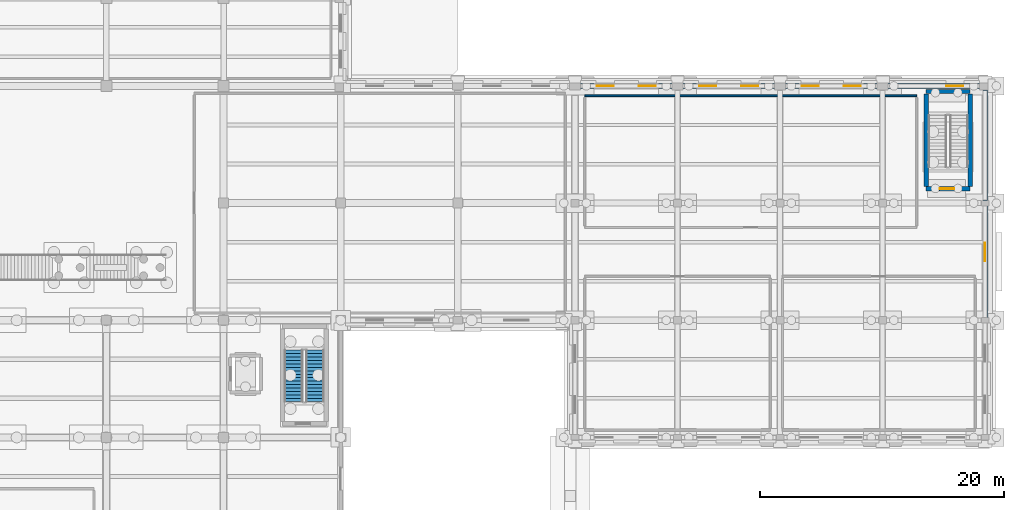
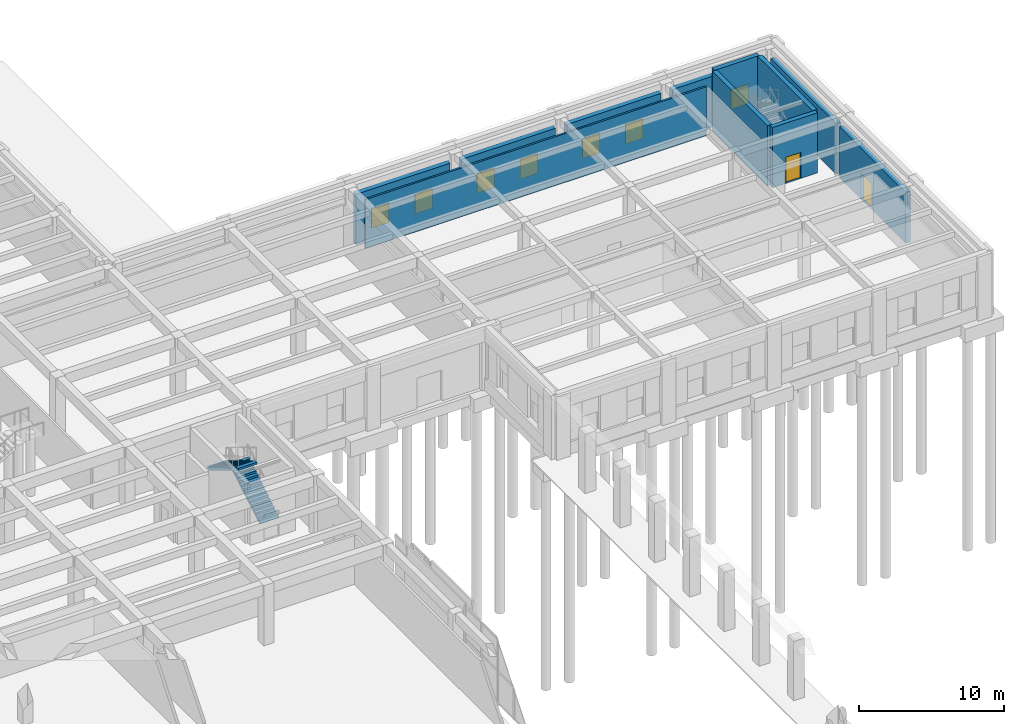
# One storey, part 37 of 51: 11 walls, 7 windows, 2 doors, 2 stair flights, 9 openings, 1 element without a shape of its own.
"""IFC4 building model written with IfcOpenShell, lengths in metres."""

from ifc_helpers import new_model, si_unit, direction, frame, frame_2d, origin, place, context, subcontext, project, spatial, polyline, rectangle, outline, extrude, material, layer, layer_set, type_object, element, fill, aggregate, save


model = new_model("IFC4")

# Units and contexts
model_context = context("Model", 3, precision=1e-05, world=origin(), true_north=direction((0.0, 1.0)))
body_context = subcontext(model_context, "Body", "Model", "MODEL_VIEW")
ifc_project = project(units=[si_unit("LENGTHUNIT", "METRE"), si_unit("AREAUNIT", "SQUARE_METRE"), si_unit("VOLUMEUNIT", "CUBIC_METRE"), si_unit("PLANEANGLEUNIT", "RADIAN"), si_unit("MASSUNIT", "GRAM", prefix="KILO")], contexts=[model_context])

# Site, building, storey
site_placement = place(None, origin())
site = spatial("IfcSite", under=ifc_project, at=site_placement, CompositionType="ELEMENT")
building_placement = place(site_placement, origin())
building = spatial("IfcBuilding", under=site, at=building_placement, Name="Bempovik Park Faculty of Sciences", CompositionType="ELEMENT")
storey_placement = place(building_placement, origin())
storey = spatial("IfcBuildingStorey", under=building, at=storey_placement, Name="L00", CompositionType="ELEMENT", Elevation=0.0)

# Wall, openings, windows
ifc_material_1 = material(Name="Precast concrete C40/50", Category="concrete")
ifc_layer_1 = layer(ifc_material_1, 0.3798828125)
ifc_layer_set_1 = layer_set([ifc_layer_1], Name="Precast concrete C40/50")
wall_type_1 = type_object("IfcWallType", Name="W-27 Wall 380mm", PredefinedType="SOLIDWALL", material=ifc_layer_set_1)
wall_1_placement = place(storey_placement, frame((137.251953125, 87.0, 0.0), z_axis=(0.0, 0.0, 1.0), x_axis=(1.0, 0.0, 0.0)))
wall_1 = element("IfcWall", 1, at=wall_1_placement, inside=storey, type_object=wall_type_1, Name="L00 Classical Precast Facade Wall EW-L00-5942", PredefinedType="SOLIDWALL", context=body_context, shape_type="SweptSolid", body=[
    extrude(rectangle(XDim=7.49609375, YDim=0.3798828125, at=frame_2d((3.748046875, 0.0))), origin(), (0.0, 0.0, 1.0), 4.280029296875),
])
opening_1_placement = place(wall_1_placement, frame((1.323974609375, 0.0, 0.85009765625)))
opening_1 = element("IfcOpeningElement", 2, at=opening_1_placement, cuts=wall_1, Name="Opening WN-84", PredefinedType="OPENING", context=body_context, shape_type="SweptSolid", body=[
    extrude(rectangle(XDim=1.39990234375, YDim=1.64990234375, at=frame_2d((0.699951171875, 0.824951171875))), frame((0.0, 0.199951171875, 0.0), z_axis=(0.0, -1.0, 0.0), x_axis=(1.0, 0.0, 0.0)), (0.0, 0.0, 1.0), 0.39990234375),
])
opening_2_placement = place(wall_1_placement, frame((4.772216796875, 0.0, 0.85009765625)))
opening_2 = element("IfcOpeningElement", 3, at=opening_2_placement, cuts=wall_1, Name="Opening WN-84", PredefinedType="OPENING", context=body_context, shape_type="SweptSolid", body=[
    extrude(rectangle(XDim=1.39990234375, YDim=1.64990234375, at=frame_2d((0.699951171875, 0.824951171875))), frame((0.0, 0.199951171875, 0.0), z_axis=(0.0, -1.0, 0.0), x_axis=(1.0, 0.0, 0.0)), (0.0, 0.0, 1.0), 0.39990234375),
])
ifc_material_2 = material(Name="Tempered laminated low-E glass", Category="glass")
window_type = type_object("IfcWindowType", Name="WN-84 Window 1400x1650", PartitioningType="SINGLE_PANEL", PredefinedType="WINDOW", material=ifc_material_2)
window_1_placement = place(opening_1_placement, origin())
window_1 = element("IfcWindow", 4, at=window_1_placement, inside=storey, type_object=window_type, Name="L00 Window EW-L00-5942-1", OverallHeight=1.64990234375, OverallWidth=1.39990234375, PartitioningType="SINGLE_PANEL", PredefinedType="WINDOW", context=body_context, shape_type="SweptSolid", body=[
    extrude(rectangle(XDim=1.39990234375, YDim=1.64990234375, at=frame_2d((0.699951171875, 0.824951171875))), frame((0.0, 0.030029296875, 0.0), z_axis=(0.0, -1.0, 0.0), x_axis=(1.0, 0.0, 0.0)), (0.0, 0.0, 1.0), 0.06005859375),
])
fill(opening_1, window_1)
window_2_placement = place(opening_2_placement, origin())
window_2 = element("IfcWindow", 5, at=window_2_placement, inside=storey, type_object=window_type, Name="L00 Window EW-L00-5942-2", OverallHeight=1.64990234375, OverallWidth=1.39990234375, PartitioningType="SINGLE_PANEL", PredefinedType="WINDOW", context=body_context, shape_type="SweptSolid", body=[
    extrude(rectangle(XDim=1.39990234375, YDim=1.64990234375, at=frame_2d((0.699951171875, 0.824951171875))), frame((0.0, 0.030029296875, 0.0), z_axis=(0.0, -1.0, 0.0), x_axis=(1.0, 0.0, 0.0)), (0.0, 0.0, 1.0), 0.06005859375),
])
fill(opening_2, window_2)

wall_2_placement = place(storey_placement, frame((145.652099609375, 87.0, 0.0), z_axis=(0.0, 0.0, 1.0), x_axis=(1.0, 0.0, 0.0)))
wall_2 = element("IfcWall", 6, at=wall_2_placement, inside=storey, type_object=wall_type_1, Name="L00 Classical Precast Facade Wall EW-L00-5952", PredefinedType="SOLIDWALL", context=body_context, shape_type="SweptSolid", body=[
    extrude(rectangle(XDim=7.495849609375, YDim=0.3798828125, at=frame_2d((3.748046875, 0.0))), origin(), (0.0, 0.0, 1.0), 4.280029296875),
])
opening_3_placement = place(wall_2_placement, frame((1.323974609375, 0.0, 0.85009765625)))
opening_3 = element("IfcOpeningElement", 7, at=opening_3_placement, cuts=wall_2, Name="Opening WN-84", PredefinedType="OPENING", context=body_context, shape_type="SweptSolid", body=[
    extrude(rectangle(XDim=1.39990234375, YDim=1.64990234375, at=frame_2d((0.699951171875, 0.824951171875))), frame((0.0, 0.199951171875, 0.0), z_axis=(0.0, -1.0, 0.0), x_axis=(1.0, 0.0, 0.0)), (0.0, 0.0, 1.0), 0.39990234375),
])
opening_4_placement = place(wall_2_placement, frame((4.772216796875, 0.0, 0.85009765625)))
opening_4 = element("IfcOpeningElement", 8, at=opening_4_placement, cuts=wall_2, Name="Opening WN-84", PredefinedType="OPENING", context=body_context, shape_type="SweptSolid", body=[
    extrude(rectangle(XDim=1.39990234375, YDim=1.64990234375, at=frame_2d((0.699951171875, 0.824951171875))), frame((0.0, 0.199951171875, 0.0), z_axis=(0.0, -1.0, 0.0), x_axis=(1.0, 0.0, 0.0)), (0.0, 0.0, 1.0), 0.39990234375),
])
window_3_placement = place(opening_3_placement, origin())
window_3 = element("IfcWindow", 9, at=window_3_placement, inside=storey, type_object=window_type, Name="L00 Window EW-L00-5952-1", OverallHeight=1.64990234375, OverallWidth=1.39990234375, PartitioningType="SINGLE_PANEL", PredefinedType="WINDOW", context=body_context, shape_type="SweptSolid", body=[
    extrude(rectangle(XDim=1.39990234375, YDim=1.64990234375, at=frame_2d((0.699951171875, 0.824951171875))), frame((0.0, 0.030029296875, 0.0), z_axis=(0.0, -1.0, 0.0), x_axis=(1.0, 0.0, 0.0)), (0.0, 0.0, 1.0), 0.06005859375),
])
fill(opening_3, window_3)
window_4_placement = place(opening_4_placement, origin())
window_4 = element("IfcWindow", 10, at=window_4_placement, inside=storey, type_object=window_type, Name="L00 Window EW-L00-5952-2", OverallHeight=1.64990234375, OverallWidth=1.39990234375, PartitioningType="SINGLE_PANEL", PredefinedType="WINDOW", context=body_context, shape_type="SweptSolid", body=[
    extrude(rectangle(XDim=1.39990234375, YDim=1.64990234375, at=frame_2d((0.699951171875, 0.824951171875))), frame((0.0, 0.030029296875, 0.0), z_axis=(0.0, -1.0, 0.0), x_axis=(1.0, 0.0, 0.0)), (0.0, 0.0, 1.0), 0.06005859375),
])
fill(opening_4, window_4)

wall_3_placement = place(storey_placement, frame((154.052001953125, 87.0, 0.0), z_axis=(0.0, 0.0, 1.0), x_axis=(1.0, 0.0, 0.0)))
wall_3 = element("IfcWall", 11, at=wall_3_placement, inside=storey, type_object=wall_type_1, Name="L00 Classical Precast Facade Wall EW-L00-5962", PredefinedType="SOLIDWALL", context=body_context, shape_type="SweptSolid", body=[
    extrude(rectangle(XDim=7.49609375, YDim=0.3798828125, at=frame_2d((3.748046875, 0.0))), origin(), (0.0, 0.0, 1.0), 4.280029296875),
])
opening_5_placement = place(wall_3_placement, frame((1.323974609375, 0.0, 0.85009765625)))
opening_5 = element("IfcOpeningElement", 12, at=opening_5_placement, cuts=wall_3, Name="Opening WN-84", PredefinedType="OPENING", context=body_context, shape_type="SweptSolid", body=[
    extrude(rectangle(XDim=1.39990234375, YDim=1.64990234375, at=frame_2d((0.699951171875, 0.824951171875))), frame((0.0, 0.199951171875, 0.0), z_axis=(0.0, -1.0, 0.0), x_axis=(1.0, 0.0, 0.0)), (0.0, 0.0, 1.0), 0.39990234375),
])
opening_6_placement = place(wall_3_placement, frame((4.772216796875, 0.0, 0.85009765625)))
opening_6 = element("IfcOpeningElement", 13, at=opening_6_placement, cuts=wall_3, Name="Opening WN-84", PredefinedType="OPENING", context=body_context, shape_type="SweptSolid", body=[
    extrude(rectangle(XDim=1.39990234375, YDim=1.64990234375, at=frame_2d((0.699951171875, 0.824951171875))), frame((0.0, 0.199951171875, 0.0), z_axis=(0.0, -1.0, 0.0), x_axis=(1.0, 0.0, 0.0)), (0.0, 0.0, 1.0), 0.39990234375),
])
window_5_placement = place(opening_5_placement, origin())
window_5 = element("IfcWindow", 14, at=window_5_placement, inside=storey, type_object=window_type, Name="L00 Window EW-L00-5962-1", OverallHeight=1.64990234375, OverallWidth=1.39990234375, PartitioningType="SINGLE_PANEL", PredefinedType="WINDOW", context=body_context, shape_type="SweptSolid", body=[
    extrude(rectangle(XDim=1.39990234375, YDim=1.64990234375, at=frame_2d((0.699951171875, 0.824951171875))), frame((0.0, 0.030029296875, 0.0), z_axis=(0.0, -1.0, 0.0), x_axis=(1.0, 0.0, 0.0)), (0.0, 0.0, 1.0), 0.06005859375),
])
fill(opening_5, window_5)
window_6_placement = place(opening_6_placement, origin())
window_6 = element("IfcWindow", 15, at=window_6_placement, inside=storey, type_object=window_type, Name="L00 Window EW-L00-5962-2", OverallHeight=1.64990234375, OverallWidth=1.39990234375, PartitioningType="SINGLE_PANEL", PredefinedType="WINDOW", context=body_context, shape_type="SweptSolid", body=[
    extrude(rectangle(XDim=1.39990234375, YDim=1.64990234375, at=frame_2d((0.699951171875, 0.824951171875))), frame((0.0, 0.030029296875, 0.0), z_axis=(0.0, -1.0, 0.0), x_axis=(1.0, 0.0, 0.0)), (0.0, 0.0, 1.0), 0.06005859375),
])
fill(opening_6, window_6)

# Wall, opening, window
wall_4_placement = place(storey_placement, frame((162.451904296875, 87.0, 0.0), z_axis=(0.0, 0.0, 1.0), x_axis=(1.0, 0.0, 0.0)))
wall_4 = element("IfcWall", 16, at=wall_4_placement, inside=storey, type_object=wall_type_1, Name="L00 Classical Precast Facade Wall EW-L00-5972", PredefinedType="SOLIDWALL", context=body_context, shape_type="SweptSolid", body=[
    extrude(rectangle(XDim=7.49609375, YDim=0.3798828125, at=frame_2d((3.748046875, 0.0))), origin(), (0.0, 0.0, 1.0), 4.280029296875),
])
opening_7_placement = place(wall_4_placement, frame((4.772216796875, 0.0, 0.85009765625)))
opening_7 = element("IfcOpeningElement", 17, at=opening_7_placement, cuts=wall_4, Name="Opening WN-84", PredefinedType="OPENING", context=body_context, shape_type="SweptSolid", body=[
    extrude(rectangle(XDim=1.39990234375, YDim=1.64990234375, at=frame_2d((0.699951171875, 0.824951171875))), frame((0.0, 0.199951171875, 0.0), z_axis=(0.0, -1.0, 0.0), x_axis=(1.0, 0.0, 0.0)), (0.0, 0.0, 1.0), 0.39990234375),
])
window_7_placement = place(opening_7_placement, origin())
window_7 = element("IfcWindow", 18, at=window_7_placement, inside=storey, type_object=window_type, Name="L00 Window EW-L00-5972-2", OverallHeight=1.64990234375, OverallWidth=1.39990234375, PartitioningType="SINGLE_PANEL", PredefinedType="WINDOW", context=body_context, shape_type="SweptSolid", body=[
    extrude(rectangle(XDim=1.39990234375, YDim=1.64990234375, at=frame_2d((0.699951171875, 0.824951171875))), frame((0.0, 0.030029296875, 0.0), z_axis=(0.0, -1.0, 0.0), x_axis=(1.0, 0.0, 0.0)), (0.0, 0.0, 1.0), 0.06005859375),
])
fill(opening_7, window_7)

# Wall, opening, door
wall_5_placement = place(storey_placement, frame((170.39990234375, 68.031982421875, 0.0), z_axis=(0.0, 0.0, 1.0), x_axis=(0.0, 1.0, 0.0)))
wall_5 = element("IfcWall", 19, at=wall_5_placement, inside=storey, type_object=wall_type_1, Name="L00 Classical Precast Facade Wall EW-L00-5991", PredefinedType="SOLIDWALL", context=body_context, shape_type="SweptSolid", body=[
    extrude(rectangle(XDim=9.135986328125, YDim=0.3798828125, at=frame_2d((4.56787109375, 0.0))), origin(), (0.0, 0.0, 1.0), 4.280029296875),
])
opening_8_placement = place(wall_5_placement, frame((4.617919921875, 0.0, 0.0)))
opening_8 = element("IfcOpeningElement", 20, at=opening_8_placement, cuts=wall_5, Name="Opening D-29", PredefinedType="OPENING", context=body_context, shape_type="SweptSolid", body=[
    extrude(rectangle(XDim=1.5, YDim=2.199951171875, at=frame_2d((0.75, 1.10009765625))), frame((0.0, 0.199951171875, 0.0), z_axis=(0.0, -1.0, 0.0), x_axis=(1.0, 0.0, 0.0)), (0.0, 0.0, 1.0), 0.39990234375),
])
ifc_material_3 = material(Name="Painted steel S355", Category="steel")
door_type_1 = type_object("IfcDoorType", Name="D-29 Door 1500x2200", OperationType="NOTDEFINED", PredefinedType="DOOR", material=ifc_material_3)
door_1_placement = place(opening_8_placement, frame((1.5, 0.0, 0.0), z_axis=(0.0, 0.0, 1.0), x_axis=(-1.0, 0.0, 0.0)))
door_1 = element("IfcDoor", 21, at=door_1_placement, inside=storey, type_object=door_type_1, Name="Stair ST-6 Final Avenue Discharge Door", OperationType="SINGLE_SWING_LEFT", OverallHeight=2.199951171875, OverallWidth=1.5, PredefinedType="DOOR", context=body_context, shape_type="SweptSolid", body=[
    extrude(rectangle(XDim=1.5, YDim=2.199951171875, at=frame_2d((0.75, 1.10009765625))), frame((0.0, 0.02490234375, 0.0), z_axis=(0.0, -1.0, 0.0), x_axis=(1.0, 0.0, 0.0)), (0.0, 0.0, 1.0), 0.050048828125),
])
fill(opening_8, door_1)

# Walls
wall_6_placement = place(storey_placement, frame((170.39990234375, 77.632080078125, 0.0), z_axis=(0.0, 0.0, 1.0), x_axis=(0.0, 1.0, 0.0)))
element("IfcWall", 22, at=wall_6_placement, inside=storey, type_object=wall_type_1, Name="L00 Classical Precast Facade Wall EW-L00-5995", PredefinedType="SOLIDWALL", context=body_context, shape_type="SweptSolid", body=[
    extrude(rectangle(XDim=9.015869140625, YDim=0.3798828125, at=frame_2d((4.5078125, 0.0))), origin(), (0.0, 0.0, 1.0), 4.280029296875),
])
ifc_material_4 = material(Name="Gypsum acoustic stud assembly")
ifc_layer_2 = layer(ifc_material_4, 0.14990234375)
ifc_layer_set_2 = layer_set([ifc_layer_2], Name="Gypsum acoustic stud assembly")
wall_type_2 = type_object("IfcWallType", Name="W-42 Wall 150mm", PredefinedType="PARTITIONING", material=ifc_layer_set_2)
wall_7_placement = place(storey_placement, frame((137.60009765625, 86.199951171875, 0.0), z_axis=(0.0, 0.0, 1.0), x_axis=(1.0, 0.0, 0.0)))
element("IfcWall", 23, at=wall_7_placement, inside=storey, type_object=wall_type_2, Name="L00 Earth Sciences Tutorial Room Partition North", PredefinedType="PARTITIONING", context=body_context, shape_type="SweptSolid", body=[
    extrude(rectangle(XDim=27.199951171875, YDim=0.14990234375, at=frame_2d((13.60009765625, 0.0))), origin(), (0.0, 0.0, 1.0), 4.1201171875),
])

# Wall, opening, door
ifc_material_5 = material(Name="Concrete C40/50", Category="concrete")
ifc_layer_3 = layer(ifc_material_5, 0.35009765625)
ifc_layer_set_3 = layer_set([ifc_layer_3], Name="Concrete C40/50")
wall_type_3 = type_object("IfcWallType", Name="W-46 Wall 350mm", PredefinedType="SHEAR", material=ifc_layer_set_3)
wall_8_placement = place(storey_placement, frame((165.574951171875, 78.574951171875, 0.0), z_axis=(0.0, 0.0, 1.0), x_axis=(1.0, 0.0, 0.0)))
wall_8 = element("IfcWall", 24, at=wall_8_placement, inside=storey, type_object=wall_type_3, Name="ST-6 L00 Core Shear Wall South", PredefinedType="SHEAR", context=body_context, shape_type="SweptSolid", body=[
    extrude(rectangle(XDim=3.60009765625, YDim=0.35009765625, at=frame_2d((1.800048828125, 0.0))), origin(), (0.0, 0.0, 1.0), 5.080078125),
])
opening_9_placement = place(wall_8_placement, frame((1.10009765625, 0.0, 0.0)))
opening_9 = element("IfcOpeningElement", 25, at=opening_9_placement, cuts=wall_8, Name="Opening D-49", PredefinedType="OPENING", context=body_context, shape_type="SweptSolid", body=[
    extrude(rectangle(XDim=1.199951171875, YDim=2.199951171875, at=frame_2d((0.60009765625, 1.10009765625))), frame((0.0, 0.18505859375, 0.0), z_axis=(0.0, -1.0, 0.0), x_axis=(1.0, 0.0, 0.0)), (0.0, 0.0, 1.0), 0.3701171875),
])
door_type_2 = type_object("IfcDoorType", Name="D-49 Door 1200x2200", OperationType="NOTDEFINED", PredefinedType="DOOR", material=ifc_material_3)
door_2_placement = place(opening_9_placement, origin())
door_2 = element("IfcDoor", 26, at=door_2_placement, inside=storey, type_object=door_type_2, Name="ST-6 L00 Protected Stair Smoke Door", OperationType="SINGLE_SWING_LEFT", OverallHeight=2.199951171875, OverallWidth=1.199951171875, PredefinedType="DOOR", context=body_context, shape_type="SweptSolid", body=[
    extrude(rectangle(XDim=1.199951171875, YDim=2.199951171875, at=frame_2d((0.60009765625, 1.10009765625))), frame((0.0, 0.02490234375, 0.0), z_axis=(0.0, -1.0, 0.0), x_axis=(1.0, 0.0, 0.0)), (0.0, 0.0, 1.0), 0.050048828125),
])
fill(opening_9, door_2)

# Walls
for number, where, z_axis, x_axis, name in (
    (27, (165.574951171875, 78.77490234375, 0.0), (0.0, 0.0, 1.0), (0.0, 1.0, 0.0), "ST-6 L00 Core Shear Wall West"),
    (28, (169.175048828125, 78.77490234375, 0.0), (0.0, 0.0, 1.0), (0.0, 1.0, 0.0), "ST-6 L00 Core Shear Wall East"),
):
    element("IfcWall", number, at=place(storey_placement, frame(where, z_axis=z_axis, x_axis=x_axis)), inside=storey, type_object=wall_type_3, Name=name, PredefinedType="SHEAR", context=body_context, shape_type="SweptSolid", body=[
        extrude(rectangle(XDim=7.5751953125, YDim=0.35009765625, at=frame_2d((3.78759765625, 0.0))), origin(), (0.0, 0.0, 1.0), 5.080078125),
    ])
wall_9_placement = place(storey_placement, frame((165.574951171875, 86.550048828125, 0.0), z_axis=(0.0, 0.0, 1.0), x_axis=(1.0, 0.0, 0.0)))
element("IfcWall", 29, at=wall_9_placement, inside=storey, type_object=wall_type_3, Name="ST-6 L00 Core Shear Wall North", PredefinedType="SHEAR", context=body_context, shape_type="SweptSolid", body=[
    extrude(rectangle(XDim=3.60009765625, YDim=0.35009765625, at=frame_2d((1.800048828125, 0.0))), origin(), (0.0, 0.0, 1.0), 5.080078125),
])

# Stair, stair flights
ifc_material_6 = material(Name="Concrete C35/45", Category="concrete")
stair_type = type_object("IfcStairType", Name="ST-22 Stair W1500 H5400", PredefinedType="HALF_TURN_STAIR", material=ifc_material_6)
stair_placement = place(storey_placement, origin())
stair = element("IfcStair", 30, at=stair_placement, inside=storey, type_object=stair_type, Name="L00 ST-5 Dog-Leg Exit Stair", PredefinedType="HALF_TURN_STAIR")
stair_flight_type = type_object("IfcStairFlightType", Name="FL-26 Flight W1500 H5400", PredefinedType="STRAIGHT", material=ifc_material_6)
stair_flight_1_placement = place(storey_placement, frame((115.5, 61.125, 0.0), z_axis=(0.0, 0.0, 1.0), x_axis=(0.0, 1.0, 0.0)))
stair_flight_1 = element("IfcStairFlight", 31, at=stair_flight_1_placement, type_object=stair_flight_type, Name="ST-22 flight 1", NumberOfRisers=16, NumberOfTreads=15, PredefinedType="STRAIGHT", RiserHeight=0.16875, TreadLength=0.28125, context=body_context, shape_type="SweptSolid", body=[
    extrude(outline(polyline([(0.0, 0.0), (0.0, 0.168701171875), (0.28125, 0.168701171875), (0.28125, 0.33740234375), (0.5625, 0.33740234375), (0.5625, 0.50634765625), (0.84375, 0.50634765625), (0.84375, 0.675048828125), (1.125, 0.675048828125), (1.125, 0.84375), (1.40625, 0.84375), (1.40625, 1.012451171875), (1.6875, 1.012451171875), (1.6875, 1.18115234375), (1.96875, 1.18115234375), (1.96875, 1.35009765625), (2.25, 1.35009765625), (2.25, 1.518798828125), (2.53125, 1.518798828125), (2.53125, 1.6875), (2.8125, 1.6875), (2.8125, 1.856201171875), (3.09375, 1.856201171875), (3.09375, 2.02490234375), (3.375, 2.02490234375), (3.375, 2.19384765625), (3.65625, 2.19384765625), (3.65625, 2.362548828125), (3.9375, 2.362548828125), (3.9375, 2.53125), (4.21875, 2.53125), (4.21875, 2.699951171875), (4.21875, 2.3564453125), (0.291259765625, 0.0), (0.0625, -0.0625), (0.0, -0.0625), (0.0, 0.0)])), frame((0.0, 0.75, 0.0), z_axis=(0.0, -1.0, 0.0), x_axis=(1.0, 0.0, 0.0)), (0.0, 0.0, 1.0), 1.5),
])
stair_flight_2_placement = place(storey_placement, frame((113.75, 65.34375, 2.699951171875), z_axis=(0.0, 0.0, 1.0), x_axis=(0.0, -1.0, 0.0)))
stair_flight_2 = element("IfcStairFlight", 32, at=stair_flight_2_placement, type_object=stair_flight_type, Name="ST-22 flight 2", NumberOfRisers=16, NumberOfTreads=15, PredefinedType="STRAIGHT", RiserHeight=0.16875, TreadLength=0.28125, context=body_context, shape_type="SweptSolid", body=[
    extrude(outline(polyline([(0.0, 0.0), (0.0, 0.168701171875), (0.28125, 0.168701171875), (0.28125, 0.33740234375), (0.5625, 0.33740234375), (0.5625, 0.50634765625), (0.84375, 0.50634765625), (0.84375, 0.675048828125), (1.125, 0.675048828125), (1.125, 0.84375), (1.40625, 0.84375), (1.40625, 1.012451171875), (1.6875, 1.012451171875), (1.6875, 1.18115234375), (1.96875, 1.18115234375), (1.96875, 1.35009765625), (2.25, 1.35009765625), (2.25, 1.518798828125), (2.53125, 1.518798828125), (2.53125, 1.6875), (2.8125, 1.6875), (2.8125, 1.856201171875), (3.09375, 1.856201171875), (3.09375, 2.02490234375), (3.375, 2.02490234375), (3.375, 2.19384765625), (3.65625, 2.19384765625), (3.65625, 2.362548828125), (3.9375, 2.362548828125), (3.9375, 2.53125), (4.21875, 2.53125), (4.21875, 2.699951171875), (4.21875, 2.3564453125), (0.291259765625, 0.0), (0.0625, -0.0625), (0.0, -0.0625), (0.0, 0.0)])), frame((0.0, 0.75, 0.0), z_axis=(0.0, -1.0, 0.0), x_axis=(1.0, 0.0, 0.0)), (0.0, 0.0, 1.0), 1.5),
])
aggregate(stair, [stair_flight_1, stair_flight_2])

save(model, "model.ifc")
